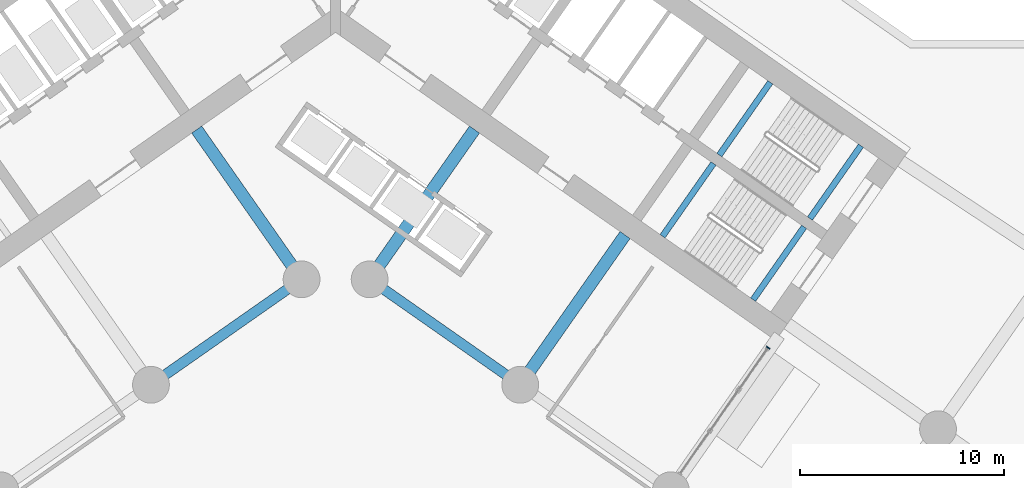
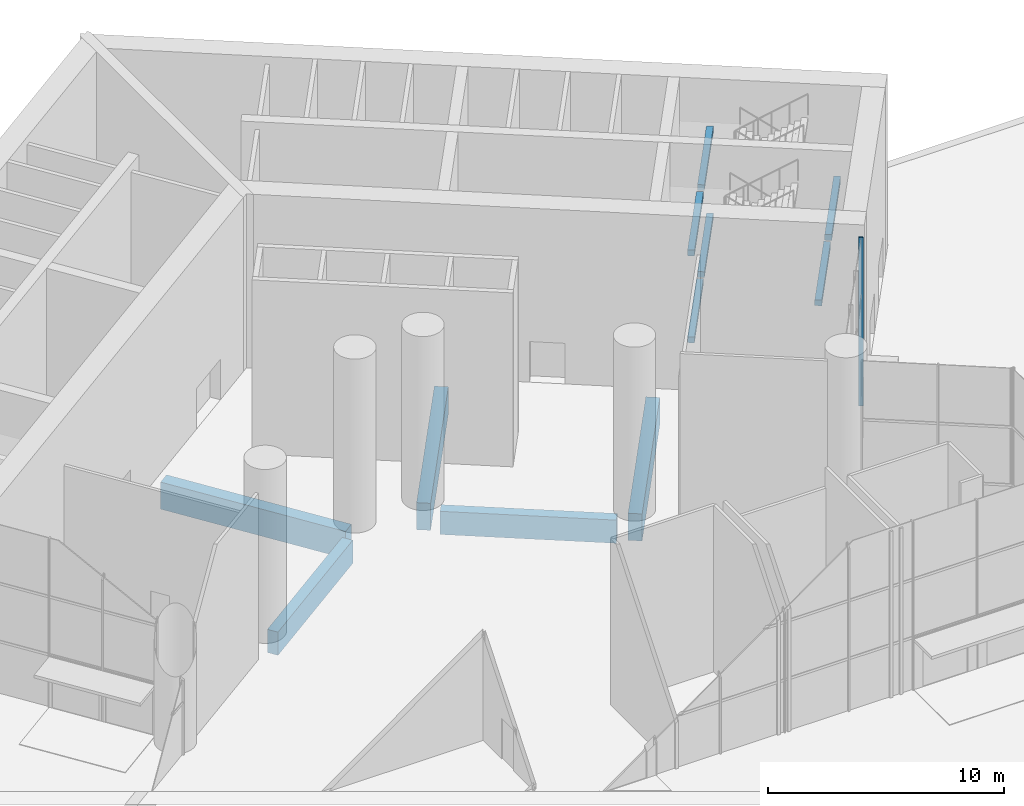
# One storey, part 12 of 37: 11 beams, 1 member, 1 element without a shape of its own.
"""IFC4 building model written with IfcOpenShell, lengths in metres."""

from ifc_helpers import new_model, si_unit, direction, frame, origin, origin_2d, place, context, subcontext, project, spatial, rectangle, extrude, material, material_profile, profile_set, type_object, element, aggregate, save


model = new_model("IFC4")

# Units and contexts
model_context = context("Model", 3, precision=1e-05, world=origin(), true_north=direction((0.0, 1.0)))
body_context = subcontext(model_context, "Body", "Model", "MODEL_VIEW")
ifc_project = project(units=[si_unit("LENGTHUNIT", "METRE"), si_unit("AREAUNIT", "SQUARE_METRE"), si_unit("VOLUMEUNIT", "CUBIC_METRE"), si_unit("PLANEANGLEUNIT", "RADIAN"), si_unit("MASSUNIT", "GRAM", prefix="KILO")], contexts=[model_context])

# Site, building, storey
site_placement = place(None, origin())
site = spatial("IfcSite", under=ifc_project, at=site_placement, CompositionType="ELEMENT")
building_placement = place(site_placement, origin())
building = spatial("IfcBuilding", under=site, at=building_placement, Name="Tel Ilan Convention Tower", CompositionType="ELEMENT")
storey_placement = place(building_placement, origin())
storey = spatial("IfcBuildingStorey", under=building, at=storey_placement, Name="L00", CompositionType="ELEMENT", Elevation=0.0)

# Beams
ifc_material_1 = material(Name="Concrete C40/50", Category="concrete")
ifc_material_profile_1 = material_profile(ifc_material_1, rectangle(XDim=0.5, YDim=1.199951171875, at=origin_2d()), Name="RC 500x1200")
ifc_profile_set_1 = profile_set([ifc_material_profile_1], Name="Concrete C40/50")
beam_type_1 = type_object("IfcBeamType", Name="Beam RC 500x1200 Concrete C40/50", PredefinedType="BEAM", material=ifc_profile_set_1)
for number, where, z_axis, x_axis, name in (
    (1, (-2.279541015625, -13.742919921875, -1.050048828125), (-0.819147803225, -0.57358249317, 0.0), (0.57358249317, -0.819147803225, 0.0), "L00 beam W-W-F1-W-F2"),
    (2, (2.279541015625, -13.742919921875, -1.050048828125), (0.819147803225, -0.57358249317, 0.0), (0.57358249317, 0.819147803225, 0.0), "L00 beam E-E-F1-E-F2"),
):
    element("IfcBeam", number, at=place(storey_placement, frame(where, z_axis=z_axis, x_axis=x_axis)), inside=storey, type_object=beam_type_1, Name=name, PredefinedType="BEAM", context=body_context, shape_type="SweptSolid", body=[
        extrude(rectangle(XDim=0.5, YDim=1.199951171875, at=origin_2d()), origin(), (0.0, 0.0, 1.0), 7.500244140625),
    ])
ifc_material_2 = material(Name="Concrete C40/50", Category="concrete")
ifc_material_profile_2 = material_profile(ifc_material_2, rectangle(XDim=0.60009765625, YDim=1.39990234375, at=origin_2d()), Name="RC 600x1400")
ifc_profile_set_2 = profile_set([ifc_material_profile_2], Name="Concrete C40/50")
beam_type_2 = type_object("IfcBeamType", Name="Beam RC 600x1400 Concrete C40/50", PredefinedType="BEAM", material=ifc_profile_set_2)
for number, where, z_axis, x_axis, name in (
    (3, (-1.83740234375, -13.06689453125, -1.14990234375), (-0.573574099654, 0.819153680457, 0.0), (-0.819153680457, -0.573574099654, 0.0), "L00 beam W-W-F1-core"),
    (4, (1.83740234375, -13.06689453125, -1.14990234375), (0.573574099654, 0.819153680457, 0.0), (-0.819153680457, 0.573574099654, 0.0), "L00 beam E-E-F1-core"),
    (5, (9.209716796875, -18.229248046875, -1.14990234375), (0.573574099654, 0.819153680457, 0.0), (-0.819153680457, 0.573574099654, 0.0), "L00 beam E-E-F2-core"),
):
    element("IfcBeam", number, at=place(storey_placement, frame(where, z_axis=z_axis, x_axis=x_axis)), inside=storey, type_object=beam_type_2, Name=name, PredefinedType="BEAM", context=body_context, shape_type="SweptSolid", body=[
        extrude(rectangle(XDim=0.60009765625, YDim=1.39990234375, at=origin_2d()), origin(), (0.0, 0.0, 1.0), 8.64990234375),
    ])

# Curtain wall, member
ifc_material_3 = material(Name="Aluminium, bronze anodised", Category="aluminium")
curtain_wall_type = type_object("IfcCurtainWallType", Name="CW6 LOBBY PAVILION CURTAIN WALL, CLEAR GLASS", PredefinedType="NOTDEFINED", material=ifc_material_3)
curtain_wall_placement = place(storey_placement, origin())
curtain_wall = element("IfcCurtainWall", 6, at=curtain_wall_placement, inside=storey, type_object=curtain_wall_type, Name="Curtain wall CW6-03.07", PredefinedType="NOTDEFINED")
ifc_material_4 = material(Name="Aluminium, bronze anodised", Category="aluminium")
ifc_material_profile_3 = material_profile(ifc_material_4, rectangle(XDim=0.06005859375, YDim=0.199951171875, at=origin_2d()), Name="CW MULLION 60x200")
ifc_profile_set_3 = profile_set([ifc_material_profile_3], Name="Aluminium, bronze anodised")
member_type = type_object("IfcMemberType", Name="CW MULLION 60x200", PredefinedType="MULLION", material=ifc_profile_set_3)
member_placement = place(storey_placement, frame((21.1748046875, -16.657958984375, 0.0), z_axis=(0.0, 0.0, 1.0), x_axis=(-0.573576436351, -0.819152044289, 0.0)))
member = element("IfcMember", 7, at=member_placement, type_object=member_type, Name="Mullion", PredefinedType="MULLION", context=body_context, shape_type="SweptSolid", body=[
    extrude(rectangle(XDim=0.06005859375, YDim=0.199951171875, at=origin_2d()), origin(), (0.0, 0.0, 1.0), 8.719970703125),
])
aggregate(curtain_wall, [member])

# Beams
ifc_material_5 = material(Name="Concrete C40/50", Category="concrete")
ifc_material_profile_4 = material_profile(ifc_material_5, rectangle(XDim=0.300048828125, YDim=0.300048828125, at=origin_2d()), Name="RC 300x300")
ifc_profile_set_4 = profile_set([ifc_material_profile_4], Name="Concrete C40/50")
beam_type_3 = type_object("IfcBeamType", Name="Landing Beam RC 300x300 Concrete C40/50", PredefinedType="BEAM", material=ifc_profile_set_4)
beam_1_placement = place(storey_placement, frame((21.279296875, -3.668701171875, 1.89990234375), z_axis=(-0.57356780395, -0.819158088694, 0.0), x_axis=(0.819158088694, -0.57356780395, 0.0)))
element("IfcBeam", 8, at=beam_1_placement, inside=storey, type_object=beam_type_3, Name="S3 landing beam L00.1", PredefinedType="BEAM", context=body_context, shape_type="SweptSolid", body=[
    extrude(rectangle(XDim=0.300048828125, YDim=0.300048828125, at=origin_2d()), origin(), (0.0, 0.0, 1.0), 4.35009765625),
])
beam_2_placement = place(storey_placement, frame((25.71435546875, -6.7744140625, 4.14990234375), z_axis=(-0.573556512523, -0.819165994742, 0.0), x_axis=(0.819165994742, -0.573556512523, 0.0)))
element("IfcBeam", 9, at=beam_2_placement, inside=storey, type_object=beam_type_3, Name="S3 landing beam L00.2", PredefinedType="BEAM", context=body_context, shape_type="SweptSolid", body=[
    extrude(rectangle(XDim=0.300048828125, YDim=0.300048828125, at=origin_2d()), origin(), (0.0, 0.0, 1.0), 4.349853515625),
])
for number, where, z_axis, x_axis, name in (
    (10, (21.279296875, -3.668701171875, 6.39990234375), (-0.57356780395, -0.819158088694, 0.0), (0.819158088694, -0.57356780395, 0.0), "S3 landing beam L00.3"),
    (11, (18.49755859375, -7.6416015625, 1.89990234375), (-0.57356780395, -0.819158088694, 0.0), (0.819158088694, -0.57356780395, 0.0), "S4 landing beam L00.1"),
):
    element("IfcBeam", number, at=place(storey_placement, frame(where, z_axis=z_axis, x_axis=x_axis)), inside=storey, type_object=beam_type_3, Name=name, PredefinedType="BEAM", context=body_context, shape_type="SweptSolid", body=[
        extrude(rectangle(XDim=0.300048828125, YDim=0.300048828125, at=origin_2d()), origin(), (0.0, 0.0, 1.0), 4.35009765625),
    ])
beam_3_placement = place(storey_placement, frame((22.9326171875, -10.747314453125, 4.14990234375), z_axis=(-0.573594173421, -0.819139624372, 0.0), x_axis=(0.819139624372, -0.573594173421, 0.0)))
element("IfcBeam", 12, at=beam_3_placement, inside=storey, type_object=beam_type_3, Name="S4 landing beam L00.2", PredefinedType="BEAM", context=body_context, shape_type="SweptSolid", body=[
    extrude(rectangle(XDim=0.300048828125, YDim=0.300048828125, at=origin_2d()), origin(), (0.0, 0.0, 1.0), 4.349853515625),
])
beam_4_placement = place(storey_placement, frame((18.49755859375, -7.6416015625, 6.39990234375), z_axis=(-0.57356780395, -0.819158088694, 0.0), x_axis=(0.819158088694, -0.57356780395, 0.0)))
element("IfcBeam", 13, at=beam_4_placement, inside=storey, type_object=beam_type_3, Name="S4 landing beam L00.3", PredefinedType="BEAM", context=body_context, shape_type="SweptSolid", body=[
    extrude(rectangle(XDim=0.300048828125, YDim=0.300048828125, at=origin_2d()), origin(), (0.0, 0.0, 1.0), 4.35009765625),
])

save(model, "model.ifc")
